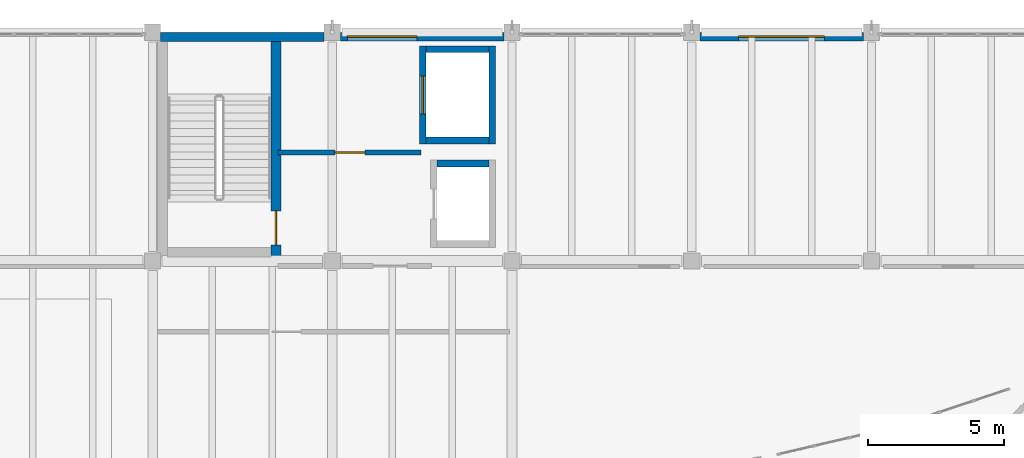
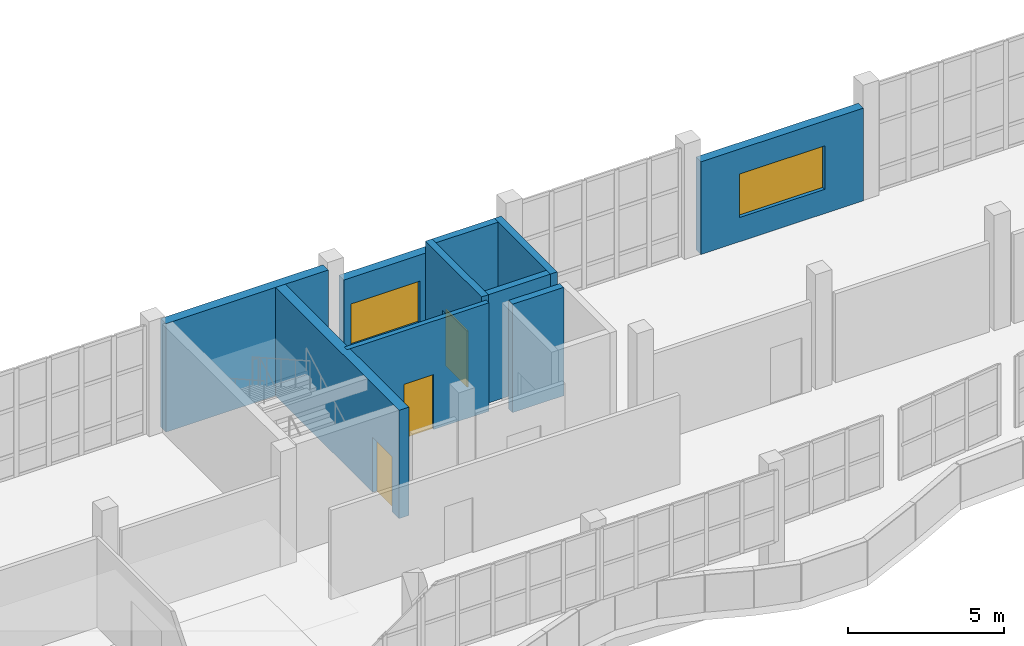
# One storey, part 50 of 76: 10 walls, 3 doors, 2 windows, 5 openings.
"""IFC4 building model written with IfcOpenShell, lengths in metres."""

from ifc_helpers import new_model, si_unit, direction, frame, frame_2d, origin, place, context, subcontext, project, spatial, rectangle, extrude, material, layer, layer_set, type_object, element, fill, save


model = new_model("IFC4")

# Units and contexts
model_context = context("Model", 3, precision=1e-05, world=origin(), true_north=direction((0.0, 1.0)))
body_context = subcontext(model_context, "Body", "Model", "MODEL_VIEW")
ifc_project = project(units=[si_unit("LENGTHUNIT", "METRE"), si_unit("AREAUNIT", "SQUARE_METRE"), si_unit("VOLUMEUNIT", "CUBIC_METRE"), si_unit("PLANEANGLEUNIT", "RADIAN"), si_unit("MASSUNIT", "GRAM", prefix="KILO")], contexts=[model_context])

# Site, building, storey
site_placement = place(None, origin())
site = spatial("IfcSite", under=ifc_project, at=site_placement, CompositionType="ELEMENT")
building_placement = place(site_placement, origin())
building = spatial("IfcBuilding", under=site, at=building_placement, Name="Qaldarim Faculty of Natural and Applied Sciences", CompositionType="ELEMENT")
storey_placement = place(building_placement, frame((0.0, 0.0, 9.89990234375)))
storey = spatial("IfcBuildingStorey", under=building, at=storey_placement, Name="L02", CompositionType="ELEMENT", Elevation=9.89990234375)

# Wall, opening, door
ifc_material_1 = material(Name="Concrete C50/60", Category="concrete")
ifc_layer_1 = layer(ifc_material_1, 0.360107421875)
ifc_layer_set_1 = layer_set([ifc_layer_1], Name="Concrete C50/60")
wall_type_1 = type_object("IfcWallType", Name="CoreShearWall-360", PredefinedType="SHEAR", material=ifc_layer_set_1)
wall_1_placement = place(storey_placement, frame((103.530029296875, 109.340087890625, 0.0), z_axis=(0.0, 0.0, 1.0), x_axis=(0.0, 1.0, 0.0)))
wall_1 = element("IfcWall", 1, at=wall_1_placement, inside=storey, type_object=wall_type_1, Name="Core stair ST-B1 east shear wall L02", PredefinedType="SHEAR", context=body_context, shape_type="SweptSolid", body=[
    extrude(rectangle(XDim=8.08984375, YDim=0.360107421875, at=frame_2d((4.044921875, 0.0))), origin(), (0.0, 0.0, 1.0), 4.239990234375),
])
opening_1_placement = place(wall_1_placement, frame((0.449951171875, 0.0, 0.0)))
opening_1 = element("IfcOpeningElement", 2, at=opening_1_placement, cuts=wall_1, Name="Opening ID04", PredefinedType="OPENING", context=body_context, shape_type="SweptSolid", body=[
    extrude(rectangle(XDim=1.25, YDim=2.14990234375, at=frame_2d((0.625, 1.074951171875))), frame((0.0, 0.18994140625, 0.0), z_axis=(0.0, -1.0, 0.0), x_axis=(1.0, 0.0, 0.0)), (0.0, 0.0, 1.0), 0.380126953125),
])
ifc_material_2 = material(Name="Architectural stainless steel 316", Category="steel")
door_type_1 = type_object("IfcDoorType", Name="StairEnclosureFireDoor-1250x2150", OperationType="NOTDEFINED", PredefinedType="DOOR", material=ifc_material_2)
door_1_placement = place(opening_1_placement, origin())
door_1 = element("IfcDoor", 3, at=door_1_placement, inside=storey, type_object=door_type_1, Name="Protected stair ST-B1 fire door D-L02-529", OperationType="SINGLE_SWING_RIGHT", OverallHeight=2.14990234375, OverallWidth=1.25, PredefinedType="DOOR", context=body_context, shape_type="SweptSolid", body=[
    extrude(rectangle(XDim=1.25, YDim=2.14990234375, at=frame_2d((0.625, 1.074951171875))), frame((0.0, 0.02490234375, 0.0), z_axis=(0.0, -1.0, 0.0), x_axis=(1.0, 0.0, 0.0)), (0.0, 0.0, 1.0), 0.050048828125),
])
fill(opening_1, door_1)

# Wall, opening, window
ifc_material_3 = material(Name="Precast concrete C40/50", Category="concrete")
ifc_layer_2 = layer(ifc_material_3, 0.320068359375)
ifc_layer_set_2 = layer_set([ifc_layer_2], Name="Precast concrete C40/50")
wall_type_2 = type_object("IfcWallType", Name="ExteriorLimestoneWall-320", PredefinedType="SOLIDWALL", material=ifc_layer_set_2)
wall_2_placement = place(storey_placement, frame((111.905029296875, 117.43994140625, 0.0), z_axis=(0.0, 0.0, 1.0), x_axis=(-1.0, 0.0, 0.0)))
wall_2 = element("IfcWall", 4, at=wall_2_placement, inside=storey, type_object=wall_type_2, Name="Exterior wall EW01 L02 N X17Y14", PredefinedType="SOLIDWALL", context=body_context, shape_type="SweptSolid", body=[
    extrude(rectangle(XDim=6.010009765625, YDim=0.320068359375, at=frame_2d((3.0048828125, 0.0))), origin(), (0.0, 0.0, 1.0), 3.625),
])
opening_2_placement = place(wall_2_placement, frame((3.199951171875, 0.0, 0.949951171875)))
opening_2 = element("IfcOpeningElement", 5, at=opening_2_placement, cuts=wall_2, Name="Opening WN13", PredefinedType="OPENING", context=body_context, shape_type="SweptSolid", body=[
    extrude(rectangle(XDim=2.550048828125, YDim=1.64990234375, at=frame_2d((1.27490234375, 0.824951171875))), frame((0.0, 0.169921875, 0.0), z_axis=(0.0, -1.0, 0.0), x_axis=(1.0, 0.0, 0.0)), (0.0, 0.0, 1.0), 0.340087890625),
])
ifc_material_4 = material(Name="Insulated low-e double glazing", Category="glass")
window_type_1 = type_object("IfcWindowType", Name="LabWindow-2550x1650", PartitioningType="TRIPLE_PANEL_VERTICAL", PredefinedType="WINDOW", material=ifc_material_4)
window_1_placement = place(opening_2_placement, origin())
window_1 = element("IfcWindow", 6, at=window_1_placement, inside=storey, type_object=window_type_1, Name="Facade window WN13 L02 N X17Y14", OverallHeight=1.64990234375, OverallWidth=2.550048828125, PartitioningType="SINGLE_PANEL", PredefinedType="WINDOW", context=body_context, shape_type="SweptSolid", body=[
    extrude(rectangle(XDim=2.550048828125, YDim=1.64990234375, at=frame_2d((1.27490234375, 0.824951171875))), frame((0.0, 0.030029296875, 0.0), z_axis=(0.0, -1.0, 0.0), x_axis=(1.0, 0.0, 0.0)), (0.0, 0.0, 1.0), 0.06005859375),
])
fill(opening_2, window_1)

wall_3_placement = place(storey_placement, frame((125.10498046875, 117.43994140625, 0.0), z_axis=(0.0, 0.0, 1.0), x_axis=(-1.0, 0.0, 0.0)))
wall_3 = element("IfcWall", 7, at=wall_3_placement, inside=storey, type_object=wall_type_2, Name="Exterior wall EW01 L02 N X19Y14", PredefinedType="SOLIDWALL", context=body_context, shape_type="SweptSolid", body=[
    extrude(rectangle(XDim=6.010009765625, YDim=0.320068359375, at=frame_2d((3.0048828125, 0.0))), origin(), (0.0, 0.0, 1.0), 3.625),
])
opening_3_placement = place(wall_3_placement, frame((1.429931640625, 0.0, 0.949951171875)))
opening_3 = element("IfcOpeningElement", 8, at=opening_3_placement, cuts=wall_3, Name="Opening WN15", PredefinedType="OPENING", context=body_context, shape_type="SweptSolid", body=[
    extrude(rectangle(XDim=3.14990234375, YDim=1.699951171875, at=frame_2d((1.574951171875, 0.85009765625))), frame((0.0, 0.169921875, 0.0), z_axis=(0.0, -1.0, 0.0), x_axis=(1.0, 0.0, 0.0)), (0.0, 0.0, 1.0), 0.340087890625),
])
window_type_2 = type_object("IfcWindowType", Name="LabWindow-3150x1700", PartitioningType="TRIPLE_PANEL_VERTICAL", PredefinedType="WINDOW", material=ifc_material_4)
window_2_placement = place(opening_3_placement, origin())
window_2 = element("IfcWindow", 9, at=window_2_placement, inside=storey, type_object=window_type_2, Name="Facade window WN15 L02 N X19Y14", OverallHeight=1.699951171875, OverallWidth=3.14990234375, PartitioningType="SINGLE_PANEL", PredefinedType="WINDOW", context=body_context, shape_type="SweptSolid", body=[
    extrude(rectangle(XDim=3.14990234375, YDim=1.699951171875, at=frame_2d((1.574951171875, 0.85009765625))), frame((0.0, 0.030029296875, 0.0), z_axis=(0.0, -1.0, 0.0), x_axis=(1.0, 0.0, 0.0)), (0.0, 0.0, 1.0), 0.06005859375),
])
fill(opening_3, window_2)

# Wall
ifc_layer_3 = layer(ifc_material_1, 0.340087890625)
ifc_layer_set_3 = layer_set([ifc_layer_3], Name="Concrete C50/60")
wall_type_3 = type_object("IfcWallType", Name="ExteriorStairShearWall-340", PredefinedType="SHEAR", material=ifc_layer_set_3)
wall_4_placement = place(storey_placement, frame((105.304931640625, 117.429931640625, 0.0), z_axis=(0.0, 0.0, 1.0), x_axis=(-1.0, 0.0, 0.0)))
element("IfcWall", 10, at=wall_4_placement, inside=storey, type_object=wall_type_3, Name="Exterior wall EW05 L02 N X16Y14", PredefinedType="SHEAR", context=body_context, shape_type="SweptSolid", body=[
    extrude(rectangle(XDim=6.010009765625, YDim=0.340087890625, at=frame_2d((3.0048828125, 0.0))), origin(), (0.0, 0.0, 1.0), 4.239990234375),
])

# Wall, opening, door
ifc_material_5 = material(Name="Concrete C40/50", Category="concrete")
ifc_layer_4 = layer(ifc_material_5, 0.179931640625)
ifc_layer_set_4 = layer_set([ifc_layer_4], Name="Concrete C40/50")
wall_type_4 = type_object("IfcWallType", Name="LabFireCompartmentWall-180", PredefinedType="SOLIDWALL", material=ifc_layer_set_4)
wall_5_placement = place(storey_placement, frame((103.60009765625, 113.18994140625, 0.0), z_axis=(0.0, 0.0, 1.0), x_axis=(1.0, 0.0, 0.0)))
wall_5 = element("IfcWall", 11, at=wall_5_placement, inside=storey, type_object=wall_type_4, Name="Fire-fighting lobby north wall Core B L02", PredefinedType="SOLIDWALL", context=body_context, shape_type="SweptSolid", body=[
    extrude(rectangle(XDim=5.25, YDim=0.179931640625, at=frame_2d((2.625, 0.0))), origin(), (0.0, 0.0, 1.0), 4.239990234375),
])
opening_4_placement = place(wall_5_placement, frame((2.10009765625, 0.0, 0.0)))
opening_4 = element("IfcOpeningElement", 12, at=opening_4_placement, cuts=wall_5, Name="Opening ID03", PredefinedType="OPENING", context=body_context, shape_type="SweptSolid", body=[
    extrude(rectangle(XDim=1.10009765625, YDim=2.14990234375, at=frame_2d((0.550048828125, 1.074951171875))), frame((0.0, 0.099853515625, 0.0), z_axis=(0.0, -1.0, 0.0), x_axis=(1.0, 0.0, 0.0)), (0.0, 0.0, 1.0), 0.199951171875),
])
ifc_material_6 = material(Name="Oak hardwood", Category="wood")
door_type_2 = type_object("IfcDoorType", Name="FireLobbyDoor-1100x2150", OperationType="NOTDEFINED", PredefinedType="DOOR", material=ifc_material_6)
door_2_placement = place(opening_4_placement, frame((1.10009765625, 0.0, 0.0), z_axis=(0.0, 0.0, 1.0), x_axis=(-1.0, 0.0, 0.0)))
door_2 = element("IfcDoor", 13, at=door_2_placement, inside=storey, type_object=door_type_2, Name="Passenger lift lobby door Core B D-L02-643", OperationType="SINGLE_SWING_RIGHT", OverallHeight=2.14990234375, OverallWidth=1.10009765625, PredefinedType="DOOR", context=body_context, shape_type="SweptSolid", body=[
    extrude(rectangle(XDim=1.10009765625, YDim=2.14990234375, at=frame_2d((0.550048828125, 1.074951171875))), frame((0.0, 0.02490234375, 0.0), z_axis=(0.0, -1.0, 0.0), x_axis=(1.0, 0.0, 0.0)), (0.0, 0.0, 1.0), 0.050048828125),
])
fill(opening_4, door_2)

# Wall
ifc_layer_5 = layer(ifc_material_5, 0.25)
ifc_layer_set_5 = layer_set([ifc_layer_5], Name="Concrete C40/50")
wall_type_5 = type_object("IfcWallType", Name="LiftShaftWall-250", PredefinedType="SHEAR", material=ifc_layer_set_5)
wall_6_placement = place(storey_placement, frame((109.449951171875, 112.77490234375, 0.0), z_axis=(0.0, 0.0, 1.0), x_axis=(1.0, 0.0, 0.0)))
element("IfcWall", 14, at=wall_6_placement, inside=storey, type_object=wall_type_5, Name="Lift LF-B1 north shaft wall L02", PredefinedType="SHEAR", context=body_context, shape_type="SweptSolid", body=[
    extrude(rectangle(XDim=1.900146484375, YDim=0.25, at=frame_2d((0.9501953125, 0.0))), origin(), (0.0, 0.0, 1.0), 4.239990234375),
])

# Wall, opening, door
wall_7_placement = place(storey_placement, frame((108.925048828125, 113.5, 0.0), z_axis=(0.0, 0.0, 1.0), x_axis=(0.0, 1.0, 0.0)))
wall_7 = element("IfcWall", 15, at=wall_7_placement, inside=storey, type_object=wall_type_5, Name="Lift LF-B2 front shaft wall L02", PredefinedType="SHEAR", context=body_context, shape_type="SweptSolid", body=[
    extrude(rectangle(XDim=3.60009765625, YDim=0.25, at=frame_2d((1.800048828125, 0.0))), origin(), (0.0, 0.0, 1.0), 4.239990234375),
])
opening_5_placement = place(wall_7_placement, frame((1.10009765625, 0.0, 0.0)))
opening_5 = element("IfcOpeningElement", 16, at=opening_5_placement, cuts=wall_7, Name="Opening LD02", PredefinedType="OPENING", context=body_context, shape_type="SweptSolid", body=[
    extrude(rectangle(XDim=1.39990234375, YDim=2.199951171875, at=frame_2d((0.699951171875, 1.10009765625))), frame((0.0, 0.135009765625, 0.0), z_axis=(0.0, -1.0, 0.0), x_axis=(1.0, 0.0, 0.0)), (0.0, 0.0, 1.0), 0.27001953125),
])
door_type_3 = type_object("IfcDoorType", Name="GoodsLiftSlidingDoor-1400x2200", OperationType="NOTDEFINED", PredefinedType="DOOR", material=ifc_material_2)
door_3_placement = place(opening_5_placement, origin())
door_3 = element("IfcDoor", 17, at=door_3_placement, inside=storey, type_object=door_type_3, Name="Lift landing sliding door LF-B2 D-L02-632", OperationType="SLIDING_TO_LEFT", OverallHeight=2.199951171875, OverallWidth=1.39990234375, PredefinedType="DOOR", context=body_context, shape_type="SweptSolid", body=[
    extrude(rectangle(XDim=1.39990234375, YDim=2.199951171875, at=frame_2d((0.699951171875, 1.10009765625))), frame((0.0, 0.02490234375, 0.0), z_axis=(0.0, -1.0, 0.0), x_axis=(1.0, 0.0, 0.0)), (0.0, 0.0, 1.0), 0.050048828125),
])
fill(opening_5, door_3)

# Walls
wall_8_placement = place(storey_placement, frame((111.47509765625, 113.5, 0.0), z_axis=(0.0, 0.0, 1.0), x_axis=(0.0, 1.0, 0.0)))
element("IfcWall", 18, at=wall_8_placement, inside=storey, type_object=wall_type_5, Name="Lift LF-B2 rear shaft wall L02", PredefinedType="SHEAR", context=body_context, shape_type="SweptSolid", body=[
    extrude(rectangle(XDim=3.60009765625, YDim=0.25, at=frame_2d((1.800048828125, 0.0))), origin(), (0.0, 0.0, 1.0), 4.239990234375),
])
for number, where, z_axis, x_axis, name in (
    (19, (109.050048828125, 113.625, 0.0), (0.0, 0.0, 1.0), (1.0, 0.0, 0.0), "Lift LF-B2 south shaft wall L02"),
    (20, (109.050048828125, 116.97509765625, 0.0), (0.0, 0.0, 1.0), (1.0, 0.0, 0.0), "Lift LF-B2 north shaft wall L02"),
):
    element("IfcWall", number, at=place(storey_placement, frame(where, z_axis=z_axis, x_axis=x_axis)), inside=storey, type_object=wall_type_5, Name=name, PredefinedType="SHEAR", context=body_context, shape_type="SweptSolid", body=[
        extrude(rectangle(XDim=2.300048828125, YDim=0.25, at=frame_2d((1.14990234375, 0.0))), origin(), (0.0, 0.0, 1.0), 4.239990234375),
    ])

save(model, "model.ifc")
